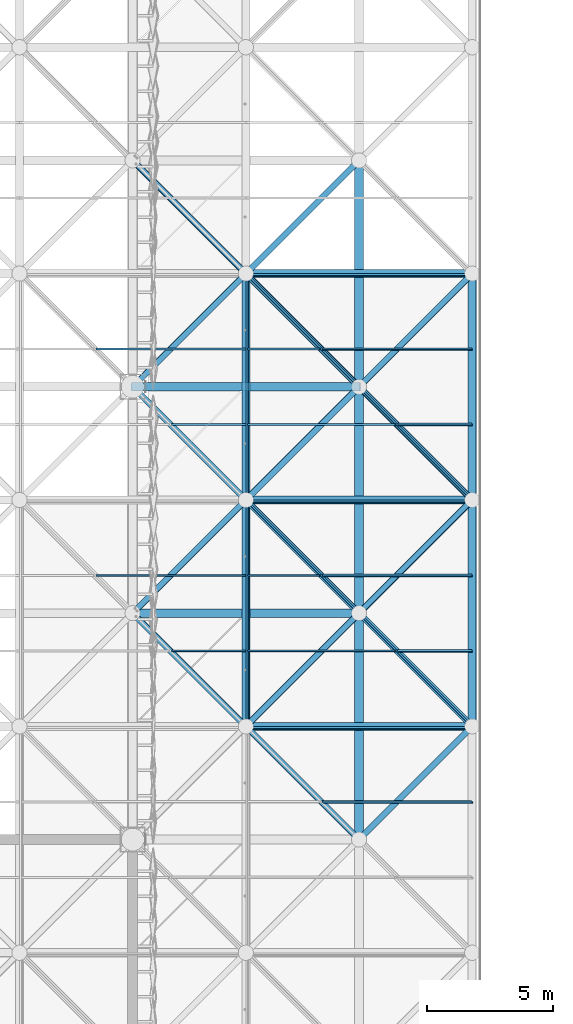
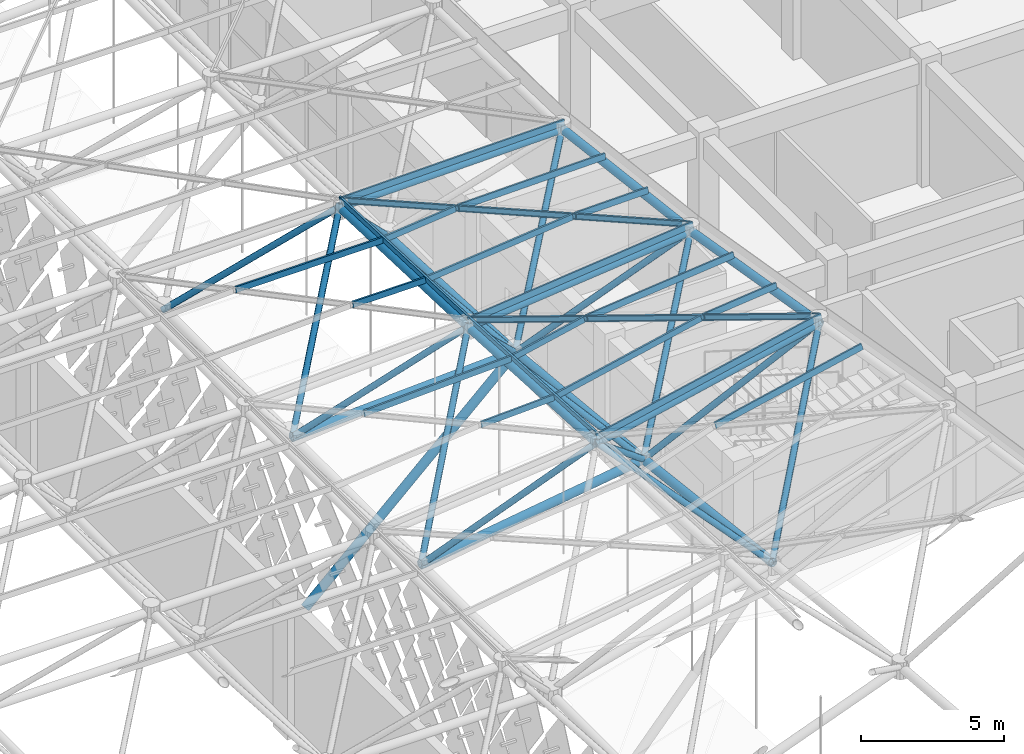
# One storey, part 197 of 437: 49 members.
"""IFC4 building model written with IfcOpenShell, lengths in metres."""

from ifc_helpers import new_model, si_unit, direction, frame, origin, origin_2d, place, context, subcontext, project, spatial, polyline, hollow_circle, outline, extrude, material, material_profile, profile_set, type_object, element, save


model = new_model("IFC4")

# Units and contexts
model_context = context("Model", 3, precision=1e-05, world=origin(), true_north=direction((0.0, 1.0)))
body_context = subcontext(model_context, "Body", "Model", "MODEL_VIEW")
ifc_project = project(units=[si_unit("LENGTHUNIT", "METRE"), si_unit("AREAUNIT", "SQUARE_METRE"), si_unit("VOLUMEUNIT", "CUBIC_METRE"), si_unit("PLANEANGLEUNIT", "RADIAN"), si_unit("MASSUNIT", "GRAM", prefix="KILO")], contexts=[model_context])

# Site, building, storey
site_placement = place(None, origin())
site = spatial("IfcSite", under=ifc_project, at=site_placement, CompositionType="ELEMENT")
building_placement = place(site_placement, origin())
building = spatial("IfcBuilding", under=site, at=building_placement, Name="Opaline Strait Convention Centre", CompositionType="ELEMENT")
storey_placement = place(building_placement, frame((0.0, 0.0, 11.5)))
storey = spatial("IfcBuildingStorey", under=building, at=storey_placement, Name="L02", CompositionType="ELEMENT", Elevation=11.5)

# Members
ifc_material = material(Name="Steel Q355B", Category="steel")
ifc_material_profile_1 = material_profile(ifc_material, hollow_circle(Radius=0.175537109375, WallThickness=0.01611328125, at=origin_2d()), Name="CHS 351x16")
ifc_profile_set_1 = profile_set([ifc_material_profile_1], Name="Steel Q355B")
member_type_1 = type_object("IfcMemberType", Name="Raking prop CHS 351x16", PredefinedType="BRACE", material=ifc_profile_set_1)
member_1_placement = place(storey_placement, frame((261.51611328125, 90.0, 5.014892578125), z_axis=(0.72992125999, 0.0, 0.683531238653), x_axis=(0.0, 1.0, 0.0)))
element("IfcMember", 1, at=member_1_placement, inside=storey, type_object=member_type_1, Name="Raking prop 261/90 E", PredefinedType="BRACE", context=body_context, shape_type="SweptSolid", body=[
    extrude(hollow_circle(Radius=0.175537109375, WallThickness=0.01611328125, at=origin_2d()), origin(), (0.0, 0.0, 1.0), 11.6728515625),
])
ifc_material_profile_2 = material_profile(ifc_material, outline(polyline([(-0.03759765625, -0.125), (0.03759765625, -0.125), (0.03759765625, -0.10498046875), (0.034912109375, -0.10498046875), (0.034912109375, -0.12255859375), (-0.034912109375, -0.12255859375), (-0.034912109375, 0.12255859375), (0.034912109375, 0.12255859375), (0.034912109375, 0.10498046875), (0.03759765625, 0.10498046875), (0.03759765625, 0.125), (-0.03759765625, 0.125), (-0.03759765625, -0.125)])), Name="C 250x75x20x2.5")
ifc_profile_set_2 = profile_set([ifc_material_profile_2], Name="Steel Q355B")
member_type_2 = type_object("IfcMemberType", Name="Roof purlin C 250x75x20x2.5", PredefinedType="PURLIN", material=ifc_profile_set_2)
member_2_placement = place(storey_placement, frame((265.449951171875, 76.439697265625, 19.14990234375), z_axis=(0.976700958406, 0.0, 0.214604841159), x_axis=(0.036376076933, 0.985529741381, -0.165553344517)))
element("IfcMember", 2, at=member_2_placement, inside=storey, type_object=member_type_2, Name="EXB-RF-E-20-3a", PredefinedType="PURLIN", context=body_context, shape_type="SweptSolid", body=[
    extrude(outline(polyline([(-0.03759765625, -0.125), (0.03759765625, -0.125), (0.03759765625, -0.10498046875), (0.034912109375, -0.10498046875), (0.034912109375, -0.12255859375), (-0.034912109375, -0.12255859375), (-0.034912109375, 0.12255859375), (0.034912109375, 0.12255859375), (0.034912109375, 0.10498046875), (0.03759765625, 0.10498046875), (0.03759765625, 0.125), (-0.03759765625, 0.125), (-0.03759765625, -0.125)])), origin(), (0.0, 0.0, 1.0), 9.317138671875),
])
member_3_placement = place(storey_placement, frame((268.550048828125, 73.5, 20.3486328125), z_axis=(0.976700106525, 0.0, 0.214608718167), x_axis=(0.037218458447, 0.984847127184, -0.169383949733)))
element("IfcMember", 3, at=member_3_placement, inside=storey, type_object=member_type_2, Name="EXB-RF-P-20-3-1a", PredefinedType="PURLIN", context=body_context, shape_type="SweptSolid", body=[
    extrude(outline(polyline([(-0.03759765625, -0.125), (0.03759765625, -0.125), (0.03759765625, -0.10498046875), (0.034912109375, -0.10498046875), (0.034912109375, -0.12255859375), (-0.034912109375, -0.12255859375), (-0.034912109375, 0.12255859375), (0.034912109375, 0.12255859375), (0.034912109375, 0.10498046875), (0.03759765625, 0.10498046875), (0.03759765625, 0.125), (-0.03759765625, 0.125), (-0.03759765625, -0.125)])), origin(), (0.0, 0.0, 1.0), 6.091796875),
])
member_4_placement = place(storey_placement, frame((262.550048828125, 79.5, 18.8525390625), z_axis=(0.999002855694, 0.0, 0.04464632476), x_axis=(0.002416598883, 0.998534026345, -0.054073637589)))
element("IfcMember", 4, at=member_4_placement, inside=storey, type_object=member_type_2, Name="EXB-RF-P-19-4-0a", PredefinedType="PURLIN", context=body_context, shape_type="SweptSolid", body=[
    extrude(outline(polyline([(-0.03759765625, -0.125), (0.03759765625, -0.125), (0.03759765625, -0.10498046875), (0.034912109375, -0.10498046875), (0.034912109375, -0.12255859375), (-0.034912109375, -0.12255859375), (-0.034912109375, 0.12255859375), (0.034912109375, 0.12255859375), (0.034912109375, 0.10498046875), (0.03759765625, 0.10498046875), (0.03759765625, 0.125), (-0.03759765625, 0.125), (-0.03759765625, -0.125)])), origin(), (0.0, 0.0, 1.0), 2.952880859375),
])
member_5_placement = place(storey_placement, frame((259.550048828125, 82.5, 18.555908203125), z_axis=(0.999004978372, 0.0, 0.04459880253), x_axis=(0.002414026618, 0.998534026345, -0.054073752484)))
element("IfcMember", 5, at=member_5_placement, inside=storey, type_object=member_type_2, Name="EXB-RF-P-19-4-1a", PredefinedType="PURLIN", context=body_context, shape_type="SweptSolid", body=[
    extrude(outline(polyline([(-0.03759765625, -0.125), (0.03759765625, -0.125), (0.03759765625, -0.10498046875), (0.034912109375, -0.10498046875), (0.034912109375, -0.12255859375), (-0.034912109375, -0.12255859375), (-0.034912109375, 0.12255859375), (0.034912109375, 0.12255859375), (0.034912109375, 0.10498046875), (0.03759765625, 0.10498046875), (0.03759765625, 0.125), (-0.03759765625, 0.125), (-0.03759765625, -0.125)])), origin(), (0.0, 0.0, 1.0), 5.955810546875),
])
member_6_placement = place(storey_placement, frame((274.5, 76.5, 21.122802734375), z_axis=(-0.694204223982, 0.694204223982, -0.190160434401), x_axis=(-0.71248371518, -0.700270764147, 0.044584890758)))
element("IfcMember", 6, at=member_6_placement, inside=storey, type_object=member_type_2, Name="EXB-RF-F-20-4", PredefinedType="PURLIN", context=body_context, shape_type="SweptSolid", body=[
    extrude(outline(polyline([(-0.03759765625, -0.125), (0.03759765625, -0.125), (0.03759765625, -0.10498046875), (0.034912109375, -0.10498046875), (0.034912109375, -0.12255859375), (-0.034912109375, -0.12255859375), (-0.034912109375, 0.12255859375), (0.034912109375, 0.12255859375), (0.034912109375, 0.10498046875), (0.03759765625, 0.10498046875), (0.03759765625, 0.125), (-0.03759765625, 0.125), (-0.03759765625, -0.125)])), origin(), (0.0, 0.0, 1.0), 12.964599609375),
])
member_7_placement = place(storey_placement, frame((265.449951171875, 85.43994140625, 18.6650390625), z_axis=(0.994612105595, 0.0, 0.10366657805), x_axis=(0.017254091808, 0.986051866452, -0.165541574785)))
element("IfcMember", 7, at=member_7_placement, inside=storey, type_object=member_type_2, Name="EXB-RF-E-20-4a", PredefinedType="PURLIN", context=body_context, shape_type="SweptSolid", body=[
    extrude(outline(polyline([(-0.03759765625, -0.125), (0.03759765625, -0.125), (0.03759765625, -0.10498046875), (0.034912109375, -0.10498046875), (0.034912109375, -0.12255859375), (-0.034912109375, -0.12255859375), (-0.034912109375, 0.12255859375), (0.034912109375, 0.12255859375), (0.034912109375, 0.10498046875), (0.03759765625, 0.10498046875), (0.03759765625, 0.125), (-0.03759765625, 0.125), (-0.03759765625, -0.125)])), origin(), (0.0, 0.0, 1.0), 9.1494140625),
])
member_8_placement = place(storey_placement, frame((271.550048828125, 79.5, 20.308837890625), z_axis=(0.994615404266, 0.0, 0.103634924602), x_axis=(0.017339598914, 0.985903618125, -0.166413323016)))
element("IfcMember", 8, at=member_8_placement, inside=storey, type_object=member_type_2, Name="EXB-RF-P-20-4-0a", PredefinedType="PURLIN", context=body_context, shape_type="SweptSolid", body=[
    extrude(outline(polyline([(-0.03759765625, -0.125), (0.03759765625, -0.125), (0.03759765625, -0.10498046875), (0.034912109375, -0.10498046875), (0.034912109375, -0.12255859375), (-0.034912109375, -0.12255859375), (-0.034912109375, 0.12255859375), (0.034912109375, 0.12255859375), (0.034912109375, 0.10498046875), (0.03759765625, 0.10498046875), (0.03759765625, 0.125), (-0.03759765625, 0.125), (-0.03759765625, -0.125)])), origin(), (0.0, 0.0, 1.0), 2.9658203125),
])
member_9_placement = place(storey_placement, frame((268.550048828125, 82.5, 19.487060546875), z_axis=(0.994612712378, 0.0, 0.103660756204), x_axis=(0.017343920909, 0.985903618125, -0.166412872625)))
element("IfcMember", 9, at=member_9_placement, inside=storey, type_object=member_type_2, Name="EXB-RF-P-20-4-1a", PredefinedType="PURLIN", context=body_context, shape_type="SweptSolid", body=[
    extrude(outline(polyline([(-0.03759765625, -0.125), (0.03759765625, -0.125), (0.03759765625, -0.10498046875), (0.034912109375, -0.10498046875), (0.034912109375, -0.12255859375), (-0.034912109375, -0.12255859375), (-0.034912109375, 0.12255859375), (0.034912109375, 0.12255859375), (0.034912109375, 0.10498046875), (0.03759765625, 0.10498046875), (0.03759765625, 0.125), (-0.03759765625, 0.125), (-0.03759765625, -0.125)])), origin(), (0.0, 0.0, 1.0), 5.982177734375),
])
member_10_placement = place(storey_placement, frame((265.565673828125, 85.550048828125, 18.673583984375), z_axis=(0.0, -0.998533323421, 0.054140576451), x_axis=(0.976767751484, 0.011602359597, 0.213986319453)))
element("IfcMember", 10, at=member_10_placement, inside=storey, type_object=member_type_2, Name="EXB-RF-E-20-4b", PredefinedType="PURLIN", context=body_context, shape_type="SweptSolid", body=[
    extrude(outline(polyline([(-0.03759765625, -0.125), (0.03759765625, -0.125), (0.03759765625, -0.10498046875), (0.034912109375, -0.10498046875), (0.034912109375, -0.12255859375), (-0.034912109375, -0.12255859375), (-0.034912109375, 0.12255859375), (0.034912109375, 0.12255859375), (0.034912109375, 0.10498046875), (0.03759765625, 0.10498046875), (0.03759765625, 0.125), (-0.03759765625, 0.125), (-0.03759765625, -0.125)])), origin(), (0.0, 0.0, 1.0), 9.113525390625),
])
member_11_placement = place(storey_placement, frame((265.60009765625, 79.5, 19.009033203125), z_axis=(0.976699349259, 0.0, 0.214612164511), x_axis=(0.011616443677, 0.998534026345, -0.052866402077)))
element("IfcMember", 11, at=member_11_placement, inside=storey, type_object=member_type_2, Name="EXB-RF-P-20-4-0b", PredefinedType="PURLIN", context=body_context, shape_type="SweptSolid", body=[
    extrude(outline(polyline([(-0.03759765625, -0.125), (0.03759765625, -0.125), (0.03759765625, -0.10498046875), (0.034912109375, -0.10498046875), (0.034912109375, -0.12255859375), (-0.034912109375, -0.12255859375), (-0.034912109375, 0.12255859375), (0.034912109375, 0.12255859375), (0.034912109375, 0.10498046875), (0.03759765625, 0.10498046875), (0.03759765625, 0.125), (-0.03759765625, 0.125), (-0.03759765625, -0.125)])), origin(), (0.0, 0.0, 1.0), 5.989501953125),
])
member_12_placement = place(storey_placement, frame((265.60009765625, 82.5, 18.846435546875), z_axis=(0.976698163467, 0.0, 0.214617560978), x_axis=(0.011616735774, 0.998534026345, -0.052866337893)))
element("IfcMember", 12, at=member_12_placement, inside=storey, type_object=member_type_2, Name="EXB-RF-P-20-4-1b", PredefinedType="PURLIN", context=body_context, shape_type="SweptSolid", body=[
    extrude(outline(polyline([(-0.03759765625, -0.125), (0.03759765625, -0.125), (0.03759765625, -0.10498046875), (0.034912109375, -0.10498046875), (0.034912109375, -0.12255859375), (-0.034912109375, -0.12255859375), (-0.034912109375, 0.12255859375), (0.034912109375, 0.12255859375), (0.034912109375, 0.10498046875), (0.03759765625, 0.10498046875), (0.03759765625, 0.125), (-0.03759765625, 0.125), (-0.03759765625, -0.125)])), origin(), (0.0, 0.0, 1.0), 2.917724609375),
])
member_13_placement = place(storey_placement, frame((262.550048828125, 88.5, 18.525390625), z_axis=(0.999973480305, 0.0, 0.007282766388), x_axis=(0.000272024632, 0.999302177023, -0.037350836662)))
element("IfcMember", 13, at=member_13_placement, inside=storey, type_object=member_type_2, Name="EXB-RF-P-19-5-0a", PredefinedType="PURLIN", context=body_context, shape_type="SweptSolid", body=[
    extrude(outline(polyline([(-0.03759765625, -0.125), (0.03759765625, -0.125), (0.03759765625, -0.10498046875), (0.034912109375, -0.10498046875), (0.034912109375, -0.12255859375), (-0.034912109375, -0.12255859375), (-0.034912109375, 0.12255859375), (0.034912109375, 0.12255859375), (0.034912109375, 0.10498046875), (0.03759765625, 0.10498046875), (0.03759765625, 0.125), (-0.03759765625, 0.125), (-0.03759765625, -0.125)])), origin(), (0.0, 0.0, 1.0), 2.949951171875),
])
member_14_placement = place(storey_placement, frame((259.550048828125, 91.5, 18.391357421875), z_axis=(0.999973627418, 0.0, 0.007262538757), x_axis=(0.000271269093, 0.999302177023, -0.037350842157)))
element("IfcMember", 14, at=member_14_placement, inside=storey, type_object=member_type_2, Name="EXB-RF-P-19-5-1a", PredefinedType="PURLIN", context=body_context, shape_type="SweptSolid", body=[
    extrude(outline(polyline([(-0.03759765625, -0.125), (0.03759765625, -0.125), (0.03759765625, -0.10498046875), (0.034912109375, -0.10498046875), (0.034912109375, -0.12255859375), (-0.034912109375, -0.12255859375), (-0.034912109375, 0.12255859375), (0.034912109375, 0.12255859375), (0.034912109375, 0.10498046875), (0.03759765625, 0.10498046875), (0.03759765625, 0.125), (-0.03759765625, 0.125), (-0.03759765625, -0.125)])), origin(), (0.0, 0.0, 1.0), 5.9501953125),
])
member_15_placement = place(storey_placement, frame((274.5, 85.5, 19.593994140625), z_axis=(-0.703588662414, 0.703588662414, -0.099629253955), x_axis=(-0.710307330996, -0.700419485379, 0.069828647665)))
element("IfcMember", 15, at=member_15_placement, inside=storey, type_object=member_type_2, Name="EXB-RF-F-20-5", PredefinedType="PURLIN", context=body_context, shape_type="SweptSolid", body=[
    extrude(outline(polyline([(-0.03759765625, -0.125), (0.03759765625, -0.125), (0.03759765625, -0.10498046875), (0.034912109375, -0.10498046875), (0.034912109375, -0.12255859375), (-0.034912109375, -0.12255859375), (-0.034912109375, 0.12255859375), (0.034912109375, 0.12255859375), (0.034912109375, 0.10498046875), (0.03759765625, 0.10498046875), (0.03759765625, 0.125), (-0.03759765625, 0.125), (-0.03759765625, -0.125)])), origin(), (0.0, 0.0, 1.0), 12.79150390625),
])
member_16_placement = place(storey_placement, frame((265.449951171875, 94.445556640625, 18.328369140625), z_axis=(0.999783916988, 0.0, 0.020787480165), x_axis=(0.002492335547, 0.992786458004, -0.119870084123)))
element("IfcMember", 16, at=member_16_placement, inside=storey, type_object=member_type_2, Name="EXB-RF-E-20-5a", PredefinedType="PURLIN", context=body_context, shape_type="SweptSolid", body=[
    extrude(outline(polyline([(-0.03759765625, -0.125), (0.03759765625, -0.125), (0.03759765625, -0.10498046875), (0.034912109375, -0.10498046875), (0.034912109375, -0.12255859375), (-0.034912109375, -0.12255859375), (-0.034912109375, 0.12255859375), (0.034912109375, 0.12255859375), (0.034912109375, 0.10498046875), (0.03759765625, 0.10498046875), (0.03759765625, 0.125), (-0.03759765625, 0.125), (-0.03759765625, -0.125)])), origin(), (0.0, 0.0, 1.0), 9.10205078125),
])
member_17_placement = place(storey_placement, frame((271.550048828125, 88.5, 19.17333984375), z_axis=(0.999782589814, 0.0, 0.020851213493), x_axis=(0.002500518863, 0.992783318794, -0.119895910397)))
element("IfcMember", 17, at=member_17_placement, inside=storey, type_object=member_type_2, Name="EXB-RF-P-20-5-0a", PredefinedType="PURLIN", context=body_context, shape_type="SweptSolid", body=[
    extrude(outline(polyline([(-0.03759765625, -0.125), (0.03759765625, -0.125), (0.03759765625, -0.10498046875), (0.034912109375, -0.10498046875), (0.034912109375, -0.12255859375), (-0.034912109375, -0.12255859375), (-0.034912109375, 0.12255859375), (0.034912109375, 0.12255859375), (0.034912109375, 0.10498046875), (0.03759765625, 0.10498046875), (0.03759765625, 0.125), (-0.03759765625, 0.125), (-0.03759765625, -0.125)])), origin(), (0.0, 0.0, 1.0), 2.95068359375),
])
member_18_placement = place(storey_placement, frame((268.550048828125, 91.5, 18.74853515625), z_axis=(0.999783679197, 0.0, 0.020798913682), x_axis=(0.002494246966, 0.992783318794, -0.119896041038)))
element("IfcMember", 18, at=member_18_placement, inside=storey, type_object=member_type_2, Name="EXB-RF-P-20-5-1a", PredefinedType="PURLIN", context=body_context, shape_type="SweptSolid", body=[
    extrude(outline(polyline([(-0.03759765625, -0.125), (0.03759765625, -0.125), (0.03759765625, -0.10498046875), (0.034912109375, -0.10498046875), (0.034912109375, -0.12255859375), (-0.034912109375, -0.12255859375), (-0.034912109375, 0.12255859375), (0.034912109375, 0.12255859375), (0.034912109375, 0.10498046875), (0.03759765625, 0.10498046875), (0.03759765625, 0.125), (-0.03759765625, 0.125), (-0.03759765625, -0.125)])), origin(), (0.0, 0.0, 1.0), 5.951171875),
])
member_19_placement = place(storey_placement, frame((265.552490234375, 94.550048828125, 18.32666015625), z_axis=(0.0, -0.999301400504, 0.037372596241), x_axis=(0.994620331005, 0.003871338683, 0.103515264032)))
element("IfcMember", 19, at=member_19_placement, inside=storey, type_object=member_type_2, Name="EXB-RF-E-20-5b", PredefinedType="PURLIN", context=body_context, shape_type="SweptSolid", body=[
    extrude(outline(polyline([(-0.03759765625, -0.125), (0.03759765625, -0.125), (0.03759765625, -0.10498046875), (0.034912109375, -0.10498046875), (0.034912109375, -0.12255859375), (-0.034912109375, -0.12255859375), (-0.034912109375, 0.12255859375), (0.034912109375, 0.12255859375), (0.034912109375, 0.10498046875), (0.03759765625, 0.10498046875), (0.03759765625, 0.125), (-0.03759765625, 0.125), (-0.03759765625, -0.125)])), origin(), (0.0, 0.0, 1.0), 9.1064453125),
])
member_20_placement = place(storey_placement, frame((265.5869140625, 88.5, 18.556396484375), z_axis=(0.994612272059, 0.0, 0.103664980927), x_axis=(0.003872076456, 0.999302177023, -0.037150585738)))
element("IfcMember", 20, at=member_20_placement, inside=storey, type_object=member_type_2, Name="EXB-RF-P-20-5-0b", PredefinedType="PURLIN", context=body_context, shape_type="SweptSolid", body=[
    extrude(outline(polyline([(-0.03759765625, -0.125), (0.03759765625, -0.125), (0.03759765625, -0.10498046875), (0.034912109375, -0.10498046875), (0.034912109375, -0.12255859375), (-0.034912109375, -0.12255859375), (-0.034912109375, 0.12255859375), (0.034912109375, 0.12255859375), (0.034912109375, 0.10498046875), (0.03759765625, 0.10498046875), (0.03759765625, 0.125), (-0.03759765625, 0.125), (-0.03759765625, -0.125)])), origin(), (0.0, 0.0, 1.0), 5.894775390625),
])
member_21_placement = place(storey_placement, frame((265.5869140625, 91.5, 18.4443359375), z_axis=(0.994614584479, 0.0, 0.103642792038), x_axis=(0.003871247661, 0.999302177023, -0.037150672111)))
element("IfcMember", 21, at=member_21_placement, inside=storey, type_object=member_type_2, Name="EXB-RF-P-20-5-1b", PredefinedType="PURLIN", context=body_context, shape_type="SweptSolid", body=[
    extrude(outline(polyline([(-0.03759765625, -0.125), (0.03759765625, -0.125), (0.03759765625, -0.10498046875), (0.034912109375, -0.10498046875), (0.034912109375, -0.12255859375), (-0.034912109375, -0.12255859375), (-0.034912109375, 0.12255859375), (0.034912109375, 0.12255859375), (0.034912109375, 0.10498046875), (0.03759765625, 0.10498046875), (0.03759765625, 0.125), (-0.03759765625, 0.125), (-0.03759765625, -0.125)])), origin(), (0.0, 0.0, 1.0), 2.87841796875),
])
ifc_material_profile_3 = material_profile(ifc_material, hollow_circle(Radius=0.175537109375, WallThickness=0.01611328125, at=origin_2d()), Name="CHS 351x16")
ifc_profile_set_3 = profile_set([ifc_material_profile_3], Name="Steel Q355B")
member_type_3 = type_object("IfcMemberType", Name="Space frame bottom chord CHS 351x16", PredefinedType="CHORD", material=ifc_profile_set_3)
member_22_placement = place(storey_placement, frame((260.950439453125, 81.0, 12.49267578125), z_axis=(0.988864228986, 0.0, 0.148820484582), x_axis=(0.0, 1.0, 0.0)))
element("IfcMember", 22, at=member_22_placement, inside=storey, type_object=member_type_3, Name="EXB-RF-BX-19-4", PredefinedType="CHORD", context=body_context, shape_type="SweptSolid", body=[
    extrude(hollow_circle(Radius=0.175537109375, WallThickness=0.01611328125, at=origin_2d()), origin(), (0.0, 0.0, 1.0), 9.20166015625),
])
member_23_placement = place(storey_placement, frame((260.949951171875, 90.0, 12.49755859375), z_axis=(0.998700632728, 0.0, 0.050961222392), x_axis=(0.0, 1.0, 0.0)))
element("IfcMember", 23, at=member_23_placement, inside=storey, type_object=member_type_3, Name="EXB-RF-BX-19-5", PredefinedType="CHORD", context=body_context, shape_type="SweptSolid", body=[
    extrude(hollow_circle(Radius=0.175537109375, WallThickness=0.01611328125, at=origin_2d()), origin(), (0.0, 0.0, 1.0), 9.11181640625),
])
member_24_placement = place(storey_placement, frame((270.0, 71.950439453125, 14.916748046875), z_axis=(0.0, 0.993180584954, -0.116586129841), x_axis=(-1.0, 0.0, 0.0)))
element("IfcMember", 24, at=member_24_placement, inside=storey, type_object=member_type_3, Name="EXB-RF-BY-20-3", PredefinedType="CHORD", context=body_context, shape_type="SweptSolid", body=[
    extrude(hollow_circle(Radius=0.175537109375, WallThickness=0.01611328125, at=origin_2d()), origin(), (0.0, 0.0, 1.0), 9.16162109375),
])
member_25_placement = place(storey_placement, frame((270.0, 80.9501953125, 13.859375), z_axis=(0.0, 0.99509044308, -0.098969743306), x_axis=(-1.0, 0.0, 0.0)))
element("IfcMember", 25, at=member_25_placement, inside=storey, type_object=member_type_3, Name="EXB-RF-BY-20-4", PredefinedType="CHORD", context=body_context, shape_type="SweptSolid", body=[
    extrude(hollow_circle(Radius=0.175537109375, WallThickness=0.01611328125, at=origin_2d()), origin(), (0.0, 0.0, 1.0), 9.14453125),
])
member_26_placement = place(storey_placement, frame((270.0, 89.949951171875, 12.9619140625), z_axis=(0.0, 0.998749263269, -0.049999091197), x_axis=(-1.0, 0.0, 0.0)))
element("IfcMember", 26, at=member_26_placement, inside=storey, type_object=member_type_3, Name="EXB-RF-BY-20-5", PredefinedType="CHORD", context=body_context, shape_type="SweptSolid", body=[
    extrude(hollow_circle(Radius=0.175537109375, WallThickness=0.01611328125, at=origin_2d()), origin(), (0.0, 0.0, 1.0), 9.111572265625),
])
ifc_material_profile_4 = material_profile(ifc_material, hollow_circle(Radius=0.16259765625, WallThickness=0.013916015625, at=origin_2d()), Name="CHS 325x14")
ifc_profile_set_4 = profile_set([ifc_material_profile_4], Name="Steel Q355B")
member_type_4 = type_object("IfcMemberType", Name="Space frame top chord CHS 325x14", PredefinedType="CHORD", material=ifc_profile_set_4)
member_27_placement = place(storey_placement, frame((274.5, 76.45068359375, 20.84716796875), z_axis=(0.0, 0.985901966255, -0.167323975973), x_axis=(-1.0, 0.0, 0.0)))
element("IfcMember", 27, at=member_27_placement, inside=storey, type_object=member_type_4, Name="EXB-RF-TY-21-4", PredefinedType="CHORD", context=body_context, shape_type="SweptSolid", body=[
    extrude(hollow_circle(Radius=0.16259765625, WallThickness=0.013916015625, at=origin_2d()), origin(), (0.0, 0.0, 1.0), 9.228759765625),
])
ifc_material_profile_5 = material_profile(ifc_material, hollow_circle(Radius=0.16259765625, WallThickness=0.02001953125, at=origin_2d()), Name="CHS 325x20")
ifc_profile_set_5 = profile_set([ifc_material_profile_5], Name="Steel Q355B")
member_type_5 = type_object("IfcMemberType", Name="Space frame top chord CHS 325x20", PredefinedType="CHORD", material=ifc_profile_set_5)
member_28_placement = place(storey_placement, frame((265.451171875, 76.5, 18.8505859375), z_axis=(0.976705368416, 0.0, 0.214584769515), x_axis=(0.0, 1.0, 0.0)))
element("IfcMember", 28, at=member_28_placement, inside=storey, type_object=member_type_5, Name="EXB-RF-TX-20-4", PredefinedType="CHORD", context=body_context, shape_type="SweptSolid", body=[
    extrude(hollow_circle(Radius=0.16259765625, WallThickness=0.02001953125, at=origin_2d()), origin(), (0.0, 0.0, 1.0), 9.314697265625),
])
member_29_placement = place(storey_placement, frame((265.4501953125, 85.5, 18.3681640625), z_axis=(0.994614283282, 0.0, 0.10364568245), x_axis=(0.0, 1.0, 0.0)))
element("IfcMember", 29, at=member_29_placement, inside=storey, type_object=member_type_5, Name="EXB-RF-TX-20-5", PredefinedType="CHORD", context=body_context, shape_type="SweptSolid", body=[
    extrude(hollow_circle(Radius=0.16259765625, WallThickness=0.02001953125, at=origin_2d()), origin(), (0.0, 0.0, 1.0), 9.14892578125),
])
member_30_placement = place(storey_placement, frame((265.449951171875, 94.5, 18.035888671875), z_axis=(0.999783359176, 0.0, 0.020814291107), x_axis=(0.0, 1.0, 0.0)))
element("IfcMember", 30, at=member_30_placement, inside=storey, type_object=member_type_5, Name="EXB-RF-TX-20-6", PredefinedType="CHORD", context=body_context, shape_type="SweptSolid", body=[
    extrude(hollow_circle(Radius=0.16259765625, WallThickness=0.02001953125, at=origin_2d()), origin(), (0.0, 0.0, 1.0), 9.10205078125),
])
member_31_placement = place(storey_placement, frame((265.5, 76.4501953125, 18.864013671875), z_axis=(0.0, 0.99853316636, -0.054143473095), x_axis=(-1.0, 0.0, 0.0)))
element("IfcMember", 31, at=member_31_placement, inside=storey, type_object=member_type_5, Name="EXB-RF-TY-20-4", PredefinedType="CHORD", context=body_context, shape_type="SweptSolid", body=[
    extrude(hollow_circle(Radius=0.16259765625, WallThickness=0.02001953125, at=origin_2d()), origin(), (0.0, 0.0, 1.0), 9.113037109375),
])
member_32_placement = place(storey_placement, frame((265.5, 85.449951171875, 18.375244140625), z_axis=(0.0, 0.999302401392, -0.037345824037), x_axis=(-1.0, 0.0, 0.0)))
element("IfcMember", 32, at=member_32_placement, inside=storey, type_object=member_type_5, Name="EXB-RF-TY-20-5", PredefinedType="CHORD", context=body_context, shape_type="SweptSolid", body=[
    extrude(hollow_circle(Radius=0.16259765625, WallThickness=0.02001953125, at=origin_2d()), origin(), (0.0, 0.0, 1.0), 9.1064453125),
])
member_33_placement = place(storey_placement, frame((274.5, 85.450439453125, 19.3173828125), z_axis=(0.0, 0.992783260631, -0.119922464163), x_axis=(-1.0, 0.0, 0.0)))
element("IfcMember", 33, at=member_33_placement, inside=storey, type_object=member_type_5, Name="EXB-RF-TY-21-5", PredefinedType="CHORD", context=body_context, shape_type="SweptSolid", body=[
    extrude(hollow_circle(Radius=0.16259765625, WallThickness=0.02001953125, at=origin_2d()), origin(), (0.0, 0.0, 1.0), 9.165283203125),
])
ifc_material_profile_6 = material_profile(ifc_material, hollow_circle(Radius=0.12255859375, WallThickness=0.011962890625, at=origin_2d()), Name="CHS 245x12")
ifc_profile_set_6 = profile_set([ifc_material_profile_6], Name="Steel Q355B")
member_type_6 = type_object("IfcMemberType", Name="Space frame web CHS 245x12", PredefinedType="BRACE", material=ifc_profile_set_6)
member_34_placement = place(storey_placement, frame((265.52490234375, 76.47509765625, 18.896484375), z_axis=(-0.50009756062, 0.50009756062, -0.706968782708), x_axis=(-0.707106781187, -0.707106781187, 0.0)))
element("IfcMember", 34, at=member_34_placement, inside=storey, type_object=member_type_6, Name="EXB-RF-W-19-4-10", PredefinedType="BRACE", context=body_context, shape_type="SweptSolid", body=[
    extrude(hollow_circle(Radius=0.12255859375, WallThickness=0.011962890625, at=origin_2d()), origin(), (0.0, 0.0, 1.0), 9.097900390625),
])
for number, where, z_axis, x_axis, name in (
    (35, (265.52587890625, 85.52587890625, 18.4072265625), (-0.519617871627, -0.519617871627, -0.678228969429), (0.707106781187, -0.707106781187, 0.0), "EXB-RF-W-19-4-11"),
    (36, (265.52587890625, 85.47412109375, 18.4072265625), (-0.519617871627, 0.519617871627, -0.678228969429), (-0.707106781187, -0.707106781187, 0.0), "EXB-RF-W-19-5-10"),
):
    element("IfcMember", number, at=place(storey_placement, frame(where, z_axis=z_axis, x_axis=x_axis)), inside=storey, type_object=member_type_6, Name=name, PredefinedType="BRACE", context=body_context, shape_type="SweptSolid", body=[
        extrude(hollow_circle(Radius=0.12255859375, WallThickness=0.011962890625, at=origin_2d()), origin(), (0.0, 0.0, 1.0), 8.759765625),
    ])
for number, where, z_axis, x_axis, name in (
    (37, (265.526611328125, 94.526611328125, 18.06982421875), (-0.533455011951, -0.533455011951, -0.65639279433), (0.707106781187, -0.707106781187, 0.0), "EXB-RF-W-19-5-11"),
    (38, (265.526611328125, 94.473388671875, 18.06982421875), (-0.533455011951, 0.533455011951, -0.65639279433), (-0.707106781187, -0.707106781187, 0.0), "EXB-RF-W-19-6-10"),
):
    element("IfcMember", number, at=place(storey_placement, frame(where, z_axis=z_axis, x_axis=x_axis)), inside=storey, type_object=member_type_6, Name=name, PredefinedType="BRACE", context=body_context, shape_type="SweptSolid", body=[
        extrude(hollow_circle(Radius=0.12255859375, WallThickness=0.011962890625, at=origin_2d()), origin(), (0.0, 0.0, 1.0), 8.535400390625),
    ])
member_35_placement = place(storey_placement, frame((265.469970703125, 76.530029296875, 18.8876953125), z_axis=(0.600769193716, -0.600769193716, -0.527401888283), x_axis=(0.707106781187, 0.707106781187, 0.0)))
element("IfcMember", 39, at=member_35_placement, inside=storey, type_object=member_type_6, Name="EXB-RF-W-20-3-01", PredefinedType="BRACE", context=body_context, shape_type="SweptSolid", body=[
    extrude(hollow_circle(Radius=0.12255859375, WallThickness=0.011962890625, at=origin_2d()), origin(), (0.0, 0.0, 1.0), 7.59033203125),
])
member_36_placement = place(storey_placement, frame((274.52587890625, 76.52587890625, 20.872802734375), z_axis=(-0.517411806028, -0.517411806028, -0.681593754347), x_axis=(0.707106781187, -0.707106781187, 0.0)))
element("IfcMember", 40, at=member_36_placement, inside=storey, type_object=member_type_6, Name="EXB-RF-W-20-3-11", PredefinedType="BRACE", context=body_context, shape_type="SweptSolid", body=[
    extrude(hollow_circle(Radius=0.12255859375, WallThickness=0.011962890625, at=origin_2d()), origin(), (0.0, 0.0, 1.0), 8.797119140625),
])
member_37_placement = place(storey_placement, frame((265.47216796875, 76.47216796875, 18.89208984375), z_axis=(0.555738694164, 0.555738694164, -0.618311416374), x_axis=(-0.707106781187, 0.707106781187, 0.0)))
element("IfcMember", 41, at=member_37_placement, inside=storey, type_object=member_type_6, Name="EXB-RF-W-20-4-00", PredefinedType="BRACE", context=body_context, shape_type="SweptSolid", body=[
    extrude(hollow_circle(Radius=0.12255859375, WallThickness=0.011962890625, at=origin_2d()), origin(), (0.0, 0.0, 1.0), 8.197509765625),
])
member_38_placement = place(storey_placement, frame((265.47119140625, 85.52880859375, 18.40234375), z_axis=(0.576535854323, -0.576535854323, -0.578975662149), x_axis=(0.707106781187, 0.707106781187, 0.0)))
element("IfcMember", 42, at=member_38_placement, inside=storey, type_object=member_type_6, Name="EXB-RF-W-20-4-01", PredefinedType="BRACE", context=body_context, shape_type="SweptSolid", body=[
    extrude(hollow_circle(Radius=0.12255859375, WallThickness=0.011962890625, at=origin_2d()), origin(), (0.0, 0.0, 1.0), 7.9052734375),
])
member_39_placement = place(storey_placement, frame((274.52392578125, 76.47607421875, 20.875732421875), z_axis=(-0.47626636673, 0.47626636673, -0.739148629062), x_axis=(-0.707106781187, -0.707106781187, 0.0)))
element("IfcMember", 43, at=member_39_placement, inside=storey, type_object=member_type_6, Name="EXB-RF-W-20-4-10", PredefinedType="BRACE", context=body_context, shape_type="SweptSolid", body=[
    extrude(hollow_circle(Radius=0.12255859375, WallThickness=0.011962890625, at=origin_2d()), origin(), (0.0, 0.0, 1.0), 9.549072265625),
])
member_40_placement = place(storey_placement, frame((274.52685546875, 85.52685546875, 19.343994140625), z_axis=(-0.53679140387, -0.53679140387, -0.650930086464), x_axis=(0.707106781187, -0.707106781187, 0.0)))
element("IfcMember", 44, at=member_40_placement, inside=storey, type_object=member_type_6, Name="EXB-RF-W-20-4-11", PredefinedType="BRACE", context=body_context, shape_type="SweptSolid", body=[
    extrude(hollow_circle(Radius=0.12255859375, WallThickness=0.011962890625, at=origin_2d()), origin(), (0.0, 0.0, 1.0), 8.483154296875),
])
member_41_placement = place(storey_placement, frame((265.47314453125, 85.47314453125, 18.40576171875), z_axis=(0.538573162213, 0.538573162213, -0.647979859169), x_axis=(-0.707106781187, 0.707106781187, 0.0)))
element("IfcMember", 45, at=member_41_placement, inside=storey, type_object=member_type_6, Name="EXB-RF-W-20-5-00", PredefinedType="BRACE", context=body_context, shape_type="SweptSolid", body=[
    extrude(hollow_circle(Radius=0.12255859375, WallThickness=0.011962890625, at=origin_2d()), origin(), (0.0, 0.0, 1.0), 8.455078125),
])
member_42_placement = place(storey_placement, frame((265.472412109375, 94.527587890625, 18.068115234375), z_axis=(0.552730589909, -0.552730589909, -0.623680839819), x_axis=(0.707106781187, 0.707106781187, 0.0)))
element("IfcMember", 46, at=member_42_placement, inside=storey, type_object=member_type_6, Name="EXB-RF-W-20-5-01", PredefinedType="BRACE", context=body_context, shape_type="SweptSolid", body=[
    extrude(hollow_circle(Radius=0.12255859375, WallThickness=0.011962890625, at=origin_2d()), origin(), (0.0, 0.0, 1.0), 8.2412109375),
])
member_43_placement = place(storey_placement, frame((274.52490234375, 85.47509765625, 19.3466796875), z_axis=(-0.500458219713, 0.500458219713, -0.706458166237), x_axis=(-0.707106781187, -0.707106781187, 0.0)))
element("IfcMember", 47, at=member_43_placement, inside=storey, type_object=member_type_6, Name="EXB-RF-W-20-5-10", PredefinedType="BRACE", context=body_context, shape_type="SweptSolid", body=[
    extrude(hollow_circle(Radius=0.12255859375, WallThickness=0.011962890625, at=origin_2d()), origin(), (0.0, 0.0, 1.0), 9.09130859375),
])
member_44_placement = place(storey_placement, frame((274.52734375, 94.52734375, 18.256103515625), z_axis=(-0.544839052131, -0.544839052131, -0.637417300162), x_axis=(0.707106781187, -0.707106781187, 0.0)))
element("IfcMember", 48, at=member_44_placement, inside=storey, type_object=member_type_6, Name="EXB-RF-W-20-5-11", PredefinedType="BRACE", context=body_context, shape_type="SweptSolid", body=[
    extrude(hollow_circle(Radius=0.12255859375, WallThickness=0.011962890625, at=origin_2d()), origin(), (0.0, 0.0, 1.0), 8.359619140625),
])
member_45_placement = place(storey_placement, frame((265.473388671875, 94.473388671875, 18.06982421875), z_axis=(0.533815659116, 0.533815659116, -0.655806133065), x_axis=(-0.707106781187, 0.707106781187, 0.0)))
element("IfcMember", 49, at=member_45_placement, inside=storey, type_object=member_type_6, Name="EXB-RF-W-20-6-00", PredefinedType="BRACE", context=body_context, shape_type="SweptSolid", body=[
    extrude(hollow_circle(Radius=0.12255859375, WallThickness=0.011962890625, at=origin_2d()), origin(), (0.0, 0.0, 1.0), 8.529541015625),
])

save(model, "model.ifc")
